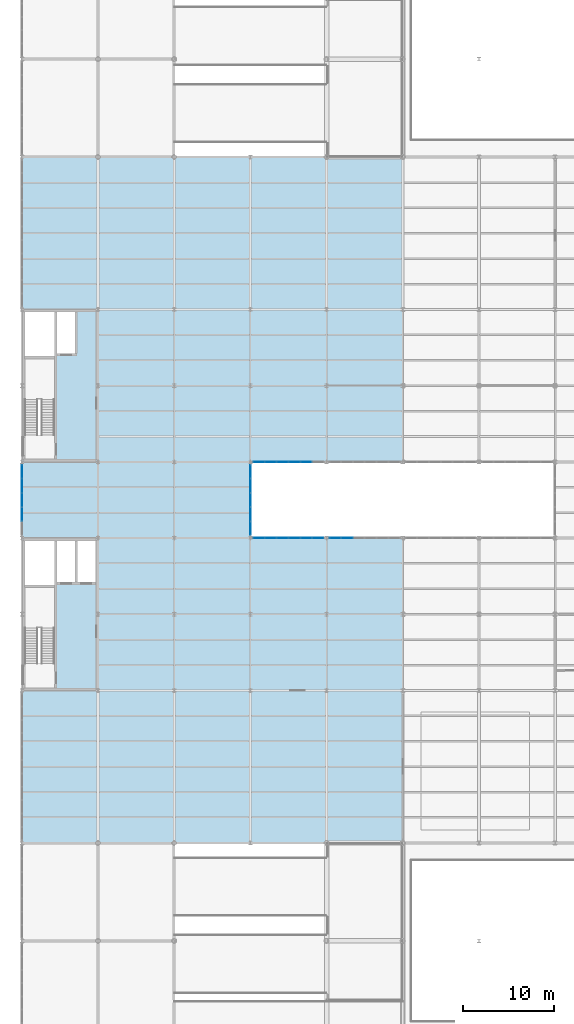
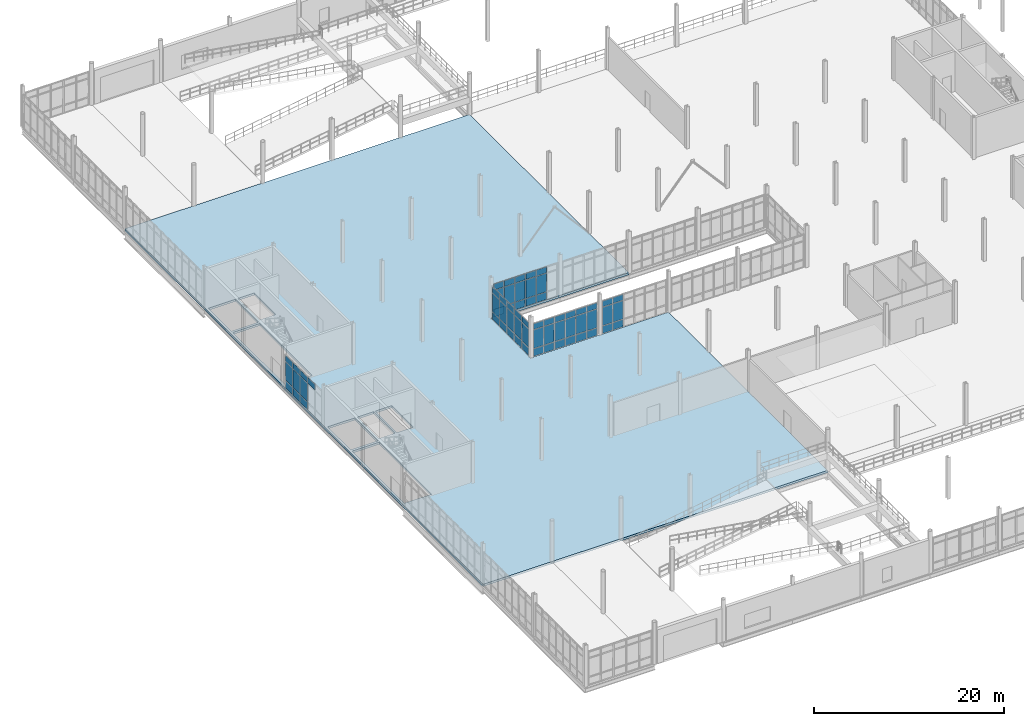
# One storey, part 78 of 111: 64 plates, 1 slab, 5 elements without a shape of their own.
"""IFC4 building model written with IfcOpenShell, lengths in metres."""

from ifc_helpers import new_model, si_unit, direction, frame, origin, origin_2d, place, context, subcontext, project, spatial, polyline, rectangle, outline, extrude, material, layer, layer_set, type_object, element, aggregate, save


model = new_model("IFC4")

# Units and contexts
model_context = context("Model", 3, precision=1e-05, world=origin(), true_north=direction((0.0, 1.0)))
body_context = subcontext(model_context, "Body", "Model", "MODEL_VIEW")
ifc_project = project(units=[si_unit("LENGTHUNIT", "METRE"), si_unit("AREAUNIT", "SQUARE_METRE"), si_unit("VOLUMEUNIT", "CUBIC_METRE"), si_unit("PLANEANGLEUNIT", "RADIAN"), si_unit("MASSUNIT", "GRAM", prefix="KILO"), si_unit("THERMODYNAMICTEMPERATUREUNIT", "KELVIN"), si_unit("POWERUNIT", "WATT")], contexts=[model_context])

# Site, building, storey
site_placement = place(None, origin())
site = spatial("IfcSite", under=ifc_project, at=site_placement, CompositionType="ELEMENT")
building_placement = place(site_placement, origin())
building = spatial("IfcBuilding", under=site, at=building_placement, Name="Tembeka Court Mobility Hub", CompositionType="ELEMENT")
storey_placement = place(building_placement, origin())
storey = spatial("IfcBuildingStorey", under=building, at=storey_placement, Name="L00", CompositionType="ELEMENT", Elevation=0.0)

# Curtain wall, plates
ifc_material_1 = material(Name="Anodised aluminium 6063-T6", Category="aluminium")
ifc_layer_1 = layer(ifc_material_1, 0.159912109375)
ifc_layer_set_1 = layer_set([ifc_layer_1], Name="Anodised aluminium 6063-T6")
curtain_wall_type_1 = type_object("IfcCurtainWallType", Name="CW-SYS01", PredefinedType="USERDEFINED", material=ifc_layer_set_1)
curtain_wall_1_placement = place(storey_placement, origin())
curtain_wall_1 = element("IfcCurtainWall", 1, at=curtain_wall_1_placement, inside=storey, type_object=curtain_wall_type_1, Name="Unitised curtain wall CW01 (CW-L00-035)", ObjectType="UNITISED GLAZING", PredefinedType="USERDEFINED")
ifc_material_2 = material(Name="Laminated solar-control low-E glass", Category="glass")
ifc_layer_2 = layer(ifc_material_2, 0.028076171875)
ifc_layer_set_2 = layer_set([ifc_layer_2], Name="Laminated solar-control low-E glass")
plate_type_1 = type_object("IfcPlateType", Name="PL-CW01", PredefinedType="CURTAIN_PANEL", material=ifc_layer_set_2)
plate_1_placement = place(storey_placement, frame((26.149658203125, 55.199951171875, 0.06494140625), z_axis=(0.0, 0.0, 1.0), x_axis=(1.0, 0.0, 0.0)))
plate_1 = element("IfcPlate", 2, at=plate_1_placement, type_object=plate_type_1, Name="CW01 panel 1.1", PredefinedType="CURTAIN_PANEL", context=body_context, shape_type="SweptSolid", body=[
    extrude(rectangle(XDim=1.209228515625, YDim=0.028076171875, at=origin_2d()), origin(), (0.0, 0.0, 1.0), 0.952392578125),
])
plate_2_placement = place(storey_placement, frame((26.149658203125, 55.199951171875, 1.08251953125), z_axis=(0.0, 0.0, 1.0), x_axis=(1.0, 0.0, 0.0)))
plate_2 = element("IfcPlate", 3, at=plate_2_placement, type_object=plate_type_1, Name="CW01 panel 1.2", PredefinedType="CURTAIN_PANEL", context=body_context, shape_type="SweptSolid", body=[
    extrude(rectangle(XDim=1.209228515625, YDim=0.028076171875, at=origin_2d()), origin(), (0.0, 0.0, 1.0), 2.3701171875),
])
plate_3_placement = place(storey_placement, frame((26.149658203125, 55.199951171875, 3.517578125), z_axis=(0.0, 0.0, 1.0), x_axis=(1.0, 0.0, 0.0)))
plate_3 = element("IfcPlate", 4, at=plate_3_placement, type_object=plate_type_1, Name="CW01 panel 1.3", PredefinedType="CURTAIN_PANEL", context=body_context, shape_type="SweptSolid", body=[
    extrude(rectangle(XDim=1.209228515625, YDim=0.028076171875, at=origin_2d()), origin(), (0.0, 0.0, 1.0), 0.75244140625),
])
plate_4_placement = place(storey_placement, frame((27.43994140625, 55.199951171875, 0.06494140625), z_axis=(0.0, 0.0, 1.0), x_axis=(1.0, 0.0, 0.0)))
plate_4 = element("IfcPlate", 5, at=plate_4_placement, type_object=plate_type_1, Name="CW01 panel 2.1", PredefinedType="CURTAIN_PANEL", context=body_context, shape_type="SweptSolid", body=[
    extrude(rectangle(XDim=1.24169921875, YDim=0.028076171875, at=origin_2d()), origin(), (0.0, 0.0, 1.0), 0.952392578125),
])
plate_5_placement = place(storey_placement, frame((27.43994140625, 55.199951171875, 1.08251953125), z_axis=(0.0, 0.0, 1.0), x_axis=(1.0, 0.0, 0.0)))
plate_5 = element("IfcPlate", 6, at=plate_5_placement, type_object=plate_type_1, Name="CW01 panel 2.2", PredefinedType="CURTAIN_PANEL", context=body_context, shape_type="SweptSolid", body=[
    extrude(rectangle(XDim=1.24169921875, YDim=0.028076171875, at=origin_2d()), origin(), (0.0, 0.0, 1.0), 2.3701171875),
])
plate_6_placement = place(storey_placement, frame((27.43994140625, 55.199951171875, 3.517578125), z_axis=(0.0, 0.0, 1.0), x_axis=(1.0, 0.0, 0.0)))
plate_6 = element("IfcPlate", 7, at=plate_6_placement, type_object=plate_type_1, Name="CW01 panel 2.3", PredefinedType="CURTAIN_PANEL", context=body_context, shape_type="SweptSolid", body=[
    extrude(rectangle(XDim=1.24169921875, YDim=0.028076171875, at=origin_2d()), origin(), (0.0, 0.0, 1.0), 0.75244140625),
])
plate_7_placement = place(storey_placement, frame((28.74658203125, 55.199951171875, 0.06494140625), z_axis=(0.0, 0.0, 1.0), x_axis=(1.0, 0.0, 0.0)))
plate_7 = element("IfcPlate", 8, at=plate_7_placement, type_object=plate_type_1, Name="CW01 panel 3.1", PredefinedType="CURTAIN_PANEL", context=body_context, shape_type="SweptSolid", body=[
    extrude(rectangle(XDim=1.24169921875, YDim=0.028076171875, at=origin_2d()), origin(), (0.0, 0.0, 1.0), 0.952392578125),
])
plate_8_placement = place(storey_placement, frame((28.74658203125, 55.199951171875, 1.08251953125), z_axis=(0.0, 0.0, 1.0), x_axis=(1.0, 0.0, 0.0)))
plate_8 = element("IfcPlate", 9, at=plate_8_placement, type_object=plate_type_1, Name="CW01 panel 3.2", PredefinedType="CURTAIN_PANEL", context=body_context, shape_type="SweptSolid", body=[
    extrude(rectangle(XDim=1.24169921875, YDim=0.028076171875, at=origin_2d()), origin(), (0.0, 0.0, 1.0), 2.3701171875),
])
plate_9_placement = place(storey_placement, frame((28.74658203125, 55.199951171875, 3.517578125), z_axis=(0.0, 0.0, 1.0), x_axis=(1.0, 0.0, 0.0)))
plate_9 = element("IfcPlate", 10, at=plate_9_placement, type_object=plate_type_1, Name="CW01 panel 3.3", PredefinedType="CURTAIN_PANEL", context=body_context, shape_type="SweptSolid", body=[
    extrude(rectangle(XDim=1.24169921875, YDim=0.028076171875, at=origin_2d()), origin(), (0.0, 0.0, 1.0), 0.75244140625),
])
plate_10_placement = place(storey_placement, frame((30.05322265625, 55.199951171875, 0.06494140625), z_axis=(0.0, 0.0, 1.0), x_axis=(1.0, 0.0, 0.0)))
plate_10 = element("IfcPlate", 11, at=plate_10_placement, type_object=plate_type_1, Name="CW01 panel 4.1", PredefinedType="CURTAIN_PANEL", context=body_context, shape_type="SweptSolid", body=[
    extrude(rectangle(XDim=1.24169921875, YDim=0.028076171875, at=origin_2d()), origin(), (0.0, 0.0, 1.0), 0.952392578125),
])
plate_11_placement = place(storey_placement, frame((30.05322265625, 55.199951171875, 1.08251953125), z_axis=(0.0, 0.0, 1.0), x_axis=(1.0, 0.0, 0.0)))
plate_11 = element("IfcPlate", 12, at=plate_11_placement, type_object=plate_type_1, Name="CW01 panel 4.2", PredefinedType="CURTAIN_PANEL", context=body_context, shape_type="SweptSolid", body=[
    extrude(rectangle(XDim=1.24169921875, YDim=0.028076171875, at=origin_2d()), origin(), (0.0, 0.0, 1.0), 2.3701171875),
])
plate_12_placement = place(storey_placement, frame((30.05322265625, 55.199951171875, 3.517578125), z_axis=(0.0, 0.0, 1.0), x_axis=(1.0, 0.0, 0.0)))
plate_12 = element("IfcPlate", 13, at=plate_12_placement, type_object=plate_type_1, Name="CW01 panel 4.3", PredefinedType="CURTAIN_PANEL", context=body_context, shape_type="SweptSolid", body=[
    extrude(rectangle(XDim=1.24169921875, YDim=0.028076171875, at=origin_2d()), origin(), (0.0, 0.0, 1.0), 0.75244140625),
])
plate_13_placement = place(storey_placement, frame((31.360107421875, 55.199951171875, 0.06494140625), z_axis=(0.0, 0.0, 1.0), x_axis=(1.0, 0.0, 0.0)))
plate_13 = element("IfcPlate", 14, at=plate_13_placement, type_object=plate_type_1, Name="CW01 panel 5.1", PredefinedType="CURTAIN_PANEL", context=body_context, shape_type="SweptSolid", body=[
    extrude(rectangle(XDim=1.24169921875, YDim=0.028076171875, at=origin_2d()), origin(), (0.0, 0.0, 1.0), 0.952392578125),
])
plate_14_placement = place(storey_placement, frame((31.360107421875, 55.199951171875, 1.08251953125), z_axis=(0.0, 0.0, 1.0), x_axis=(1.0, 0.0, 0.0)))
plate_14 = element("IfcPlate", 15, at=plate_14_placement, type_object=plate_type_1, Name="CW01 panel 5.2", PredefinedType="CURTAIN_PANEL", context=body_context, shape_type="SweptSolid", body=[
    extrude(rectangle(XDim=1.24169921875, YDim=0.028076171875, at=origin_2d()), origin(), (0.0, 0.0, 1.0), 2.3701171875),
])
plate_15_placement = place(storey_placement, frame((31.360107421875, 55.199951171875, 3.517578125), z_axis=(0.0, 0.0, 1.0), x_axis=(1.0, 0.0, 0.0)))
plate_15 = element("IfcPlate", 16, at=plate_15_placement, type_object=plate_type_1, Name="CW01 panel 5.3", PredefinedType="CURTAIN_PANEL", context=body_context, shape_type="SweptSolid", body=[
    extrude(rectangle(XDim=1.24169921875, YDim=0.028076171875, at=origin_2d()), origin(), (0.0, 0.0, 1.0), 0.75244140625),
])
plate_16_placement = place(storey_placement, frame((32.650390625, 55.199951171875, 0.06494140625), z_axis=(0.0, 0.0, 1.0), x_axis=(1.0, 0.0, 0.0)))
plate_16 = element("IfcPlate", 17, at=plate_16_placement, type_object=plate_type_1, Name="CW01 panel 6.1", PredefinedType="CURTAIN_PANEL", context=body_context, shape_type="SweptSolid", body=[
    extrude(rectangle(XDim=1.209228515625, YDim=0.028076171875, at=origin_2d()), origin(), (0.0, 0.0, 1.0), 0.952392578125),
])
plate_17_placement = place(storey_placement, frame((32.650390625, 55.199951171875, 1.08251953125), z_axis=(0.0, 0.0, 1.0), x_axis=(1.0, 0.0, 0.0)))
plate_17 = element("IfcPlate", 18, at=plate_17_placement, type_object=plate_type_1, Name="CW01 panel 6.2", PredefinedType="CURTAIN_PANEL", context=body_context, shape_type="SweptSolid", body=[
    extrude(rectangle(XDim=1.209228515625, YDim=0.028076171875, at=origin_2d()), origin(), (0.0, 0.0, 1.0), 2.3701171875),
])
plate_18_placement = place(storey_placement, frame((32.650390625, 55.199951171875, 3.517578125), z_axis=(0.0, 0.0, 1.0), x_axis=(1.0, 0.0, 0.0)))
plate_18 = element("IfcPlate", 19, at=plate_18_placement, type_object=plate_type_1, Name="CW01 panel 6.3", PredefinedType="CURTAIN_PANEL", context=body_context, shape_type="SweptSolid", body=[
    extrude(rectangle(XDim=1.209228515625, YDim=0.028076171875, at=origin_2d()), origin(), (0.0, 0.0, 1.0), 0.75244140625),
])
aggregate(curtain_wall_1, [plate_1, plate_2, plate_3, plate_4, plate_5, plate_6, plate_7, plate_8, plate_9, plate_10, plate_11, plate_12, plate_13, plate_14, plate_15, plate_16, plate_17, plate_18])

ifc_layer_3 = layer(ifc_material_1, 0.159912109375)
ifc_layer_set_3 = layer_set([ifc_layer_3], Name="Anodised aluminium 6063-T6")
curtain_wall_type_2 = type_object("IfcCurtainWallType", Name="CW-SYS20", PredefinedType="USERDEFINED", material=ifc_layer_set_3)
curtain_wall_2_placement = place(storey_placement, origin())
curtain_wall_2 = element("IfcCurtainWall", 20, at=curtain_wall_2_placement, inside=storey, type_object=curtain_wall_type_2, Name="Unitised curtain wall CW20 (CW-L00-037)", ObjectType="UNITISED GLAZING", PredefinedType="USERDEFINED")
plate_19_placement = place(storey_placement, frame((34.549560546875, 55.199951171875, 0.06494140625), z_axis=(0.0, 0.0, 1.0), x_axis=(1.0, 0.0, 0.0)))
plate_19 = element("IfcPlate", 21, at=plate_19_placement, type_object=plate_type_1, Name="CW20 panel 1.1", PredefinedType="CURTAIN_PANEL", context=body_context, shape_type="SweptSolid", body=[
    extrude(rectangle(XDim=1.209228515625, YDim=0.028076171875, at=origin_2d()), origin(), (0.0, 0.0, 1.0), 0.952392578125),
])
plate_20_placement = place(storey_placement, frame((34.549560546875, 55.199951171875, 1.08251953125), z_axis=(0.0, 0.0, 1.0), x_axis=(1.0, 0.0, 0.0)))
plate_20 = element("IfcPlate", 22, at=plate_20_placement, type_object=plate_type_1, Name="CW20 panel 1.2", PredefinedType="CURTAIN_PANEL", context=body_context, shape_type="SweptSolid", body=[
    extrude(rectangle(XDim=1.209228515625, YDim=0.028076171875, at=origin_2d()), origin(), (0.0, 0.0, 1.0), 2.35009765625),
])
plate_21_placement = place(storey_placement, frame((34.549560546875, 55.199951171875, 3.49755859375), z_axis=(0.0, 0.0, 1.0), x_axis=(1.0, 0.0, 0.0)))
plate_21 = element("IfcPlate", 23, at=plate_21_placement, type_object=plate_type_1, Name="CW20 panel 1.3", PredefinedType="CURTAIN_PANEL", context=body_context, shape_type="SweptSolid", body=[
    extrude(rectangle(XDim=1.209228515625, YDim=0.028076171875, at=origin_2d()), origin(), (0.0, 0.0, 1.0), 0.75244140625),
])
plate_22_placement = place(storey_placement, frame((35.840087890625, 55.199951171875, 0.06494140625), z_axis=(0.0, 0.0, 1.0), x_axis=(1.0, 0.0, 0.0)))
plate_22 = element("IfcPlate", 24, at=plate_22_placement, type_object=plate_type_1, Name="CW20 panel 2.1", PredefinedType="CURTAIN_PANEL", context=body_context, shape_type="SweptSolid", body=[
    extrude(rectangle(XDim=1.24169921875, YDim=0.028076171875, at=origin_2d()), origin(), (0.0, 0.0, 1.0), 0.952392578125),
])
plate_23_placement = place(storey_placement, frame((35.840087890625, 55.199951171875, 1.08251953125), z_axis=(0.0, 0.0, 1.0), x_axis=(1.0, 0.0, 0.0)))
plate_23 = element("IfcPlate", 25, at=plate_23_placement, type_object=plate_type_1, Name="CW20 panel 2.2", PredefinedType="CURTAIN_PANEL", context=body_context, shape_type="SweptSolid", body=[
    extrude(rectangle(XDim=1.24169921875, YDim=0.028076171875, at=origin_2d()), origin(), (0.0, 0.0, 1.0), 2.35009765625),
])
plate_24_placement = place(storey_placement, frame((35.840087890625, 55.199951171875, 3.49755859375), z_axis=(0.0, 0.0, 1.0), x_axis=(1.0, 0.0, 0.0)))
plate_24 = element("IfcPlate", 26, at=plate_24_placement, type_object=plate_type_1, Name="CW20 panel 2.3", PredefinedType="CURTAIN_PANEL", context=body_context, shape_type="SweptSolid", body=[
    extrude(rectangle(XDim=1.24169921875, YDim=0.028076171875, at=origin_2d()), origin(), (0.0, 0.0, 1.0), 0.75244140625),
])
aggregate(curtain_wall_2, [plate_19, plate_20, plate_21, plate_22, plate_23, plate_24])

curtain_wall_3_placement = place(storey_placement, origin())
curtain_wall_3 = element("IfcCurtainWall", 27, at=curtain_wall_3_placement, inside=storey, type_object=curtain_wall_type_1, Name="Unitised curtain wall CW01 (CW-L00-043)", ObjectType="UNITISED GLAZING", PredefinedType="USERDEFINED")
plate_25_placement = place(storey_placement, frame((25.199951171875, 56.2802734375, 0.06494140625), z_axis=(0.0, 0.0, 1.0), x_axis=(0.0, 1.0, 0.0)))
plate_25 = element("IfcPlate", 28, at=plate_25_placement, type_object=plate_type_1, Name="CW01 panel 1.1", PredefinedType="CURTAIN_PANEL", context=body_context, shape_type="SweptSolid", body=[
    extrude(rectangle(XDim=1.470458984375, YDim=0.028076171875, at=origin_2d()), origin(), (0.0, 0.0, 1.0), 0.952392578125),
])
plate_26_placement = place(storey_placement, frame((25.199951171875, 56.2802734375, 1.08251953125), z_axis=(0.0, 0.0, 1.0), x_axis=(0.0, 1.0, 0.0)))
plate_26 = element("IfcPlate", 29, at=plate_26_placement, type_object=plate_type_1, Name="CW01 panel 1.2", PredefinedType="CURTAIN_PANEL", context=body_context, shape_type="SweptSolid", body=[
    extrude(rectangle(XDim=1.470458984375, YDim=0.028076171875, at=origin_2d()), origin(), (0.0, 0.0, 1.0), 2.3701171875),
])
plate_27_placement = place(storey_placement, frame((25.199951171875, 56.2802734375, 3.517578125), z_axis=(0.0, 0.0, 1.0), x_axis=(0.0, 1.0, 0.0)))
plate_27 = element("IfcPlate", 30, at=plate_27_placement, type_object=plate_type_1, Name="CW01 panel 1.3", PredefinedType="CURTAIN_PANEL", context=body_context, shape_type="SweptSolid", body=[
    extrude(rectangle(XDim=1.470458984375, YDim=0.028076171875, at=origin_2d()), origin(), (0.0, 0.0, 1.0), 0.75244140625),
])
plate_28_placement = place(storey_placement, frame((25.199951171875, 57.83203125, 0.06494140625), z_axis=(0.0, 0.0, 1.0), x_axis=(0.0, 1.0, 0.0)))
plate_28 = element("IfcPlate", 31, at=plate_28_placement, type_object=plate_type_1, Name="CW01 panel 2.1", PredefinedType="CURTAIN_PANEL", context=body_context, shape_type="SweptSolid", body=[
    extrude(rectangle(XDim=1.5029296875, YDim=0.028076171875, at=origin_2d()), origin(), (0.0, 0.0, 1.0), 0.952392578125),
])
plate_29_placement = place(storey_placement, frame((25.199951171875, 57.83203125, 1.08251953125), z_axis=(0.0, 0.0, 1.0), x_axis=(0.0, 1.0, 0.0)))
plate_29 = element("IfcPlate", 32, at=plate_29_placement, type_object=plate_type_1, Name="CW01 panel 2.2", PredefinedType="CURTAIN_PANEL", context=body_context, shape_type="SweptSolid", body=[
    extrude(rectangle(XDim=1.5029296875, YDim=0.028076171875, at=origin_2d()), origin(), (0.0, 0.0, 1.0), 2.3701171875),
])
plate_30_placement = place(storey_placement, frame((25.199951171875, 57.83203125, 3.517578125), z_axis=(0.0, 0.0, 1.0), x_axis=(0.0, 1.0, 0.0)))
plate_30 = element("IfcPlate", 33, at=plate_30_placement, type_object=plate_type_1, Name="CW01 panel 2.3", PredefinedType="CURTAIN_PANEL", context=body_context, shape_type="SweptSolid", body=[
    extrude(rectangle(XDim=1.5029296875, YDim=0.028076171875, at=origin_2d()), origin(), (0.0, 0.0, 1.0), 0.75244140625),
])
plate_31_placement = place(storey_placement, frame((25.199951171875, 59.39990234375, 0.06494140625), z_axis=(0.0, 0.0, 1.0), x_axis=(0.0, 1.0, 0.0)))
plate_31 = element("IfcPlate", 34, at=plate_31_placement, type_object=plate_type_1, Name="CW01 panel 3.1", PredefinedType="CURTAIN_PANEL", context=body_context, shape_type="SweptSolid", body=[
    extrude(rectangle(XDim=1.5029296875, YDim=0.028076171875, at=origin_2d()), origin(), (0.0, 0.0, 1.0), 0.952392578125),
])
plate_32_placement = place(storey_placement, frame((25.199951171875, 59.39990234375, 1.08251953125), z_axis=(0.0, 0.0, 1.0), x_axis=(0.0, 1.0, 0.0)))
plate_32 = element("IfcPlate", 35, at=plate_32_placement, type_object=plate_type_1, Name="CW01 panel 3.2", PredefinedType="CURTAIN_PANEL", context=body_context, shape_type="SweptSolid", body=[
    extrude(rectangle(XDim=1.5029296875, YDim=0.028076171875, at=origin_2d()), origin(), (0.0, 0.0, 1.0), 2.3701171875),
])
plate_33_placement = place(storey_placement, frame((25.199951171875, 59.39990234375, 3.517578125), z_axis=(0.0, 0.0, 1.0), x_axis=(0.0, 1.0, 0.0)))
plate_33 = element("IfcPlate", 36, at=plate_33_placement, type_object=plate_type_1, Name="CW01 panel 3.3", PredefinedType="CURTAIN_PANEL", context=body_context, shape_type="SweptSolid", body=[
    extrude(rectangle(XDim=1.5029296875, YDim=0.028076171875, at=origin_2d()), origin(), (0.0, 0.0, 1.0), 0.75244140625),
])
plate_34_placement = place(storey_placement, frame((25.199951171875, 60.968017578125, 0.06494140625), z_axis=(0.0, 0.0, 1.0), x_axis=(0.0, 1.0, 0.0)))
plate_34 = element("IfcPlate", 37, at=plate_34_placement, type_object=plate_type_1, Name="CW01 panel 4.1", PredefinedType="CURTAIN_PANEL", context=body_context, shape_type="SweptSolid", body=[
    extrude(rectangle(XDim=1.5029296875, YDim=0.028076171875, at=origin_2d()), origin(), (0.0, 0.0, 1.0), 0.952392578125),
])
plate_35_placement = place(storey_placement, frame((25.199951171875, 60.968017578125, 1.08251953125), z_axis=(0.0, 0.0, 1.0), x_axis=(0.0, 1.0, 0.0)))
plate_35 = element("IfcPlate", 38, at=plate_35_placement, type_object=plate_type_1, Name="CW01 panel 4.2", PredefinedType="CURTAIN_PANEL", context=body_context, shape_type="SweptSolid", body=[
    extrude(rectangle(XDim=1.5029296875, YDim=0.028076171875, at=origin_2d()), origin(), (0.0, 0.0, 1.0), 2.3701171875),
])
plate_36_placement = place(storey_placement, frame((25.199951171875, 60.968017578125, 3.517578125), z_axis=(0.0, 0.0, 1.0), x_axis=(0.0, 1.0, 0.0)))
plate_36 = element("IfcPlate", 39, at=plate_36_placement, type_object=plate_type_1, Name="CW01 panel 4.3", PredefinedType="CURTAIN_PANEL", context=body_context, shape_type="SweptSolid", body=[
    extrude(rectangle(XDim=1.5029296875, YDim=0.028076171875, at=origin_2d()), origin(), (0.0, 0.0, 1.0), 0.75244140625),
])
plate_37_placement = place(storey_placement, frame((25.199951171875, 62.519775390625, 0.06494140625), z_axis=(0.0, 0.0, 1.0), x_axis=(0.0, 1.0, 0.0)))
plate_37 = element("IfcPlate", 40, at=plate_37_placement, type_object=plate_type_1, Name="CW01 panel 5.1", PredefinedType="CURTAIN_PANEL", context=body_context, shape_type="SweptSolid", body=[
    extrude(rectangle(XDim=1.470458984375, YDim=0.028076171875, at=origin_2d()), origin(), (0.0, 0.0, 1.0), 0.952392578125),
])
plate_38_placement = place(storey_placement, frame((25.199951171875, 62.519775390625, 1.08251953125), z_axis=(0.0, 0.0, 1.0), x_axis=(0.0, 1.0, 0.0)))
plate_38 = element("IfcPlate", 41, at=plate_38_placement, type_object=plate_type_1, Name="CW01 panel 5.2", PredefinedType="CURTAIN_PANEL", context=body_context, shape_type="SweptSolid", body=[
    extrude(rectangle(XDim=1.470458984375, YDim=0.028076171875, at=origin_2d()), origin(), (0.0, 0.0, 1.0), 2.3701171875),
])
plate_39_placement = place(storey_placement, frame((25.199951171875, 62.519775390625, 3.517578125), z_axis=(0.0, 0.0, 1.0), x_axis=(0.0, 1.0, 0.0)))
plate_39 = element("IfcPlate", 42, at=plate_39_placement, type_object=plate_type_1, Name="CW01 panel 5.3", PredefinedType="CURTAIN_PANEL", context=body_context, shape_type="SweptSolid", body=[
    extrude(rectangle(XDim=1.470458984375, YDim=0.028076171875, at=origin_2d()), origin(), (0.0, 0.0, 1.0), 0.75244140625),
])
aggregate(curtain_wall_3, [plate_25, plate_26, plate_27, plate_28, plate_29, plate_30, plate_31, plate_32, plate_33, plate_34, plate_35, plate_36, plate_37, plate_38, plate_39])

curtain_wall_4_placement = place(storey_placement, origin())
curtain_wall_4 = element("IfcCurtainWall", 43, at=curtain_wall_4_placement, inside=storey, type_object=curtain_wall_type_1, Name="Unitised curtain wall CW01 (CW-L00-028)", ObjectType="UNITISED GLAZING", PredefinedType="USERDEFINED")
ifc_material_3 = material(Name="Insulated aluminium spandrel panel", Category="aluminium")
ifc_layer_4 = layer(ifc_material_3, 0.052001953125)
ifc_layer_set_4 = layer_set([ifc_layer_4], Name="Insulated aluminium spandrel panel")
plate_type_2 = type_object("IfcPlateType", Name="PL-CW02", PredefinedType="CURTAIN_PANEL", material=ifc_layer_set_4)
plate_40_placement = place(storey_placement, frame((0.0, 57.83203125, 3.517578125), z_axis=(0.0, 0.0, 1.0), x_axis=(0.0, 1.0, 0.0)))
plate_40 = element("IfcPlate", 44, at=plate_40_placement, type_object=plate_type_2, Name="CW01 panel 2.3", PredefinedType="CURTAIN_PANEL", context=body_context, shape_type="SweptSolid", body=[
    extrude(rectangle(XDim=1.5029296875, YDim=0.052001953125, at=origin_2d()), origin(), (0.0, 0.0, 1.0), 0.75244140625),
])
plate_41_placement = place(storey_placement, frame((0.0, 59.39990234375, 0.06494140625), z_axis=(0.0, 0.0, 1.0), x_axis=(0.0, 1.0, 0.0)))
plate_41 = element("IfcPlate", 45, at=plate_41_placement, type_object=plate_type_2, Name="CW01 panel 3.1", PredefinedType="CURTAIN_PANEL", context=body_context, shape_type="SweptSolid", body=[
    extrude(rectangle(XDim=1.5029296875, YDim=0.052001953125, at=origin_2d()), origin(), (0.0, 0.0, 1.0), 0.952392578125),
])
plate_42_placement = place(storey_placement, frame((0.0, 59.39990234375, 1.08251953125), z_axis=(0.0, 0.0, 1.0), x_axis=(0.0, 1.0, 0.0)))
plate_42 = element("IfcPlate", 46, at=plate_42_placement, type_object=plate_type_2, Name="CW01 panel 3.2", PredefinedType="CURTAIN_PANEL", context=body_context, shape_type="SweptSolid", body=[
    extrude(rectangle(XDim=1.5029296875, YDim=0.052001953125, at=origin_2d()), origin(), (0.0, 0.0, 1.0), 2.3701171875),
])
plate_43_placement = place(storey_placement, frame((0.0, 59.39990234375, 3.517578125), z_axis=(0.0, 0.0, 1.0), x_axis=(0.0, 1.0, 0.0)))
plate_43 = element("IfcPlate", 47, at=plate_43_placement, type_object=plate_type_2, Name="CW01 panel 3.3", PredefinedType="CURTAIN_PANEL", context=body_context, shape_type="SweptSolid", body=[
    extrude(rectangle(XDim=1.5029296875, YDim=0.052001953125, at=origin_2d()), origin(), (0.0, 0.0, 1.0), 0.75244140625),
])
plate_44_placement = place(storey_placement, frame((0.0, 60.968017578125, 0.06494140625), z_axis=(0.0, 0.0, 1.0), x_axis=(0.0, 1.0, 0.0)))
plate_44 = element("IfcPlate", 48, at=plate_44_placement, type_object=plate_type_2, Name="CW01 panel 4.1", PredefinedType="CURTAIN_PANEL", context=body_context, shape_type="SweptSolid", body=[
    extrude(rectangle(XDim=1.5029296875, YDim=0.052001953125, at=origin_2d()), origin(), (0.0, 0.0, 1.0), 0.952392578125),
])
plate_45_placement = place(storey_placement, frame((0.0, 60.968017578125, 1.08251953125), z_axis=(0.0, 0.0, 1.0), x_axis=(0.0, 1.0, 0.0)))
plate_45 = element("IfcPlate", 49, at=plate_45_placement, type_object=plate_type_2, Name="CW01 panel 4.2", PredefinedType="CURTAIN_PANEL", context=body_context, shape_type="SweptSolid", body=[
    extrude(rectangle(XDim=1.5029296875, YDim=0.052001953125, at=origin_2d()), origin(), (0.0, 0.0, 1.0), 2.3701171875),
])
plate_46_placement = place(storey_placement, frame((0.0, 60.968017578125, 3.517578125), z_axis=(0.0, 0.0, 1.0), x_axis=(0.0, 1.0, 0.0)))
plate_46 = element("IfcPlate", 50, at=plate_46_placement, type_object=plate_type_2, Name="CW01 panel 4.3", PredefinedType="CURTAIN_PANEL", context=body_context, shape_type="SweptSolid", body=[
    extrude(rectangle(XDim=1.5029296875, YDim=0.052001953125, at=origin_2d()), origin(), (0.0, 0.0, 1.0), 0.75244140625),
])
plate_47_placement = place(storey_placement, frame((0.0, 62.519775390625, 0.06494140625), z_axis=(0.0, 0.0, 1.0), x_axis=(0.0, 1.0, 0.0)))
plate_47 = element("IfcPlate", 51, at=plate_47_placement, type_object=plate_type_2, Name="CW01 panel 5.1", PredefinedType="CURTAIN_PANEL", context=body_context, shape_type="SweptSolid", body=[
    extrude(rectangle(XDim=1.470458984375, YDim=0.052001953125, at=origin_2d()), origin(), (0.0, 0.0, 1.0), 0.952392578125),
])
plate_48_placement = place(storey_placement, frame((0.0, 62.519775390625, 1.08251953125), z_axis=(0.0, 0.0, 1.0), x_axis=(0.0, 1.0, 0.0)))
plate_48 = element("IfcPlate", 52, at=plate_48_placement, type_object=plate_type_2, Name="CW01 panel 5.2", PredefinedType="CURTAIN_PANEL", context=body_context, shape_type="SweptSolid", body=[
    extrude(rectangle(XDim=1.470458984375, YDim=0.052001953125, at=origin_2d()), origin(), (0.0, 0.0, 1.0), 2.3701171875),
])
plate_49_placement = place(storey_placement, frame((0.0, 62.519775390625, 3.517578125), z_axis=(0.0, 0.0, 1.0), x_axis=(0.0, 1.0, 0.0)))
plate_49 = element("IfcPlate", 53, at=plate_49_placement, type_object=plate_type_2, Name="CW01 panel 5.3", PredefinedType="CURTAIN_PANEL", context=body_context, shape_type="SweptSolid", body=[
    extrude(rectangle(XDim=1.470458984375, YDim=0.052001953125, at=origin_2d()), origin(), (0.0, 0.0, 1.0), 0.75244140625),
])
aggregate(curtain_wall_4, [plate_40, plate_41, plate_42, plate_43, plate_44, plate_45, plate_46, plate_47, plate_48, plate_49])

curtain_wall_5_placement = place(storey_placement, origin())
curtain_wall_5 = element("IfcCurtainWall", 54, at=curtain_wall_5_placement, inside=storey, type_object=curtain_wall_type_1, Name="Unitised curtain wall CW01 (CW-L00-036)", ObjectType="UNITISED GLAZING", PredefinedType="USERDEFINED")
plate_50_placement = place(storey_placement, frame((26.149658203125, 63.60009765625, 0.06494140625), z_axis=(0.0, 0.0, 1.0), x_axis=(1.0, 0.0, 0.0)))
plate_50 = element("IfcPlate", 55, at=plate_50_placement, type_object=plate_type_2, Name="CW01 panel 1.1", PredefinedType="CURTAIN_PANEL", context=body_context, shape_type="SweptSolid", body=[
    extrude(rectangle(XDim=1.209228515625, YDim=0.052001953125, at=origin_2d()), origin(), (0.0, 0.0, 1.0), 0.952392578125),
])
plate_51_placement = place(storey_placement, frame((26.149658203125, 63.60009765625, 1.08251953125), z_axis=(0.0, 0.0, 1.0), x_axis=(1.0, 0.0, 0.0)))
plate_51 = element("IfcPlate", 56, at=plate_51_placement, type_object=plate_type_2, Name="CW01 panel 1.2", PredefinedType="CURTAIN_PANEL", context=body_context, shape_type="SweptSolid", body=[
    extrude(rectangle(XDim=1.209228515625, YDim=0.052001953125, at=origin_2d()), origin(), (0.0, 0.0, 1.0), 2.3701171875),
])
plate_52_placement = place(storey_placement, frame((26.149658203125, 63.60009765625, 3.517578125), z_axis=(0.0, 0.0, 1.0), x_axis=(1.0, 0.0, 0.0)))
plate_52 = element("IfcPlate", 57, at=plate_52_placement, type_object=plate_type_2, Name="CW01 panel 1.3", PredefinedType="CURTAIN_PANEL", context=body_context, shape_type="SweptSolid", body=[
    extrude(rectangle(XDim=1.209228515625, YDim=0.052001953125, at=origin_2d()), origin(), (0.0, 0.0, 1.0), 0.75244140625),
])
plate_53_placement = place(storey_placement, frame((27.43994140625, 63.60009765625, 0.06494140625), z_axis=(0.0, 0.0, 1.0), x_axis=(1.0, 0.0, 0.0)))
plate_53 = element("IfcPlate", 58, at=plate_53_placement, type_object=plate_type_2, Name="CW01 panel 2.1", PredefinedType="CURTAIN_PANEL", context=body_context, shape_type="SweptSolid", body=[
    extrude(rectangle(XDim=1.24169921875, YDim=0.052001953125, at=origin_2d()), origin(), (0.0, 0.0, 1.0), 0.952392578125),
])
plate_54_placement = place(storey_placement, frame((27.43994140625, 63.60009765625, 1.08251953125), z_axis=(0.0, 0.0, 1.0), x_axis=(1.0, 0.0, 0.0)))
plate_54 = element("IfcPlate", 59, at=plate_54_placement, type_object=plate_type_2, Name="CW01 panel 2.2", PredefinedType="CURTAIN_PANEL", context=body_context, shape_type="SweptSolid", body=[
    extrude(rectangle(XDim=1.24169921875, YDim=0.052001953125, at=origin_2d()), origin(), (0.0, 0.0, 1.0), 2.3701171875),
])
plate_55_placement = place(storey_placement, frame((27.43994140625, 63.60009765625, 3.517578125), z_axis=(0.0, 0.0, 1.0), x_axis=(1.0, 0.0, 0.0)))
plate_55 = element("IfcPlate", 60, at=plate_55_placement, type_object=plate_type_2, Name="CW01 panel 2.3", PredefinedType="CURTAIN_PANEL", context=body_context, shape_type="SweptSolid", body=[
    extrude(rectangle(XDim=1.24169921875, YDim=0.052001953125, at=origin_2d()), origin(), (0.0, 0.0, 1.0), 0.75244140625),
])
plate_56_placement = place(storey_placement, frame((28.74658203125, 63.60009765625, 0.06494140625), z_axis=(0.0, 0.0, 1.0), x_axis=(1.0, 0.0, 0.0)))
plate_56 = element("IfcPlate", 61, at=plate_56_placement, type_object=plate_type_2, Name="CW01 panel 3.1", PredefinedType="CURTAIN_PANEL", context=body_context, shape_type="SweptSolid", body=[
    extrude(rectangle(XDim=1.24169921875, YDim=0.052001953125, at=origin_2d()), origin(), (0.0, 0.0, 1.0), 0.952392578125),
])
plate_57_placement = place(storey_placement, frame((28.74658203125, 63.60009765625, 1.08251953125), z_axis=(0.0, 0.0, 1.0), x_axis=(1.0, 0.0, 0.0)))
plate_57 = element("IfcPlate", 62, at=plate_57_placement, type_object=plate_type_2, Name="CW01 panel 3.2", PredefinedType="CURTAIN_PANEL", context=body_context, shape_type="SweptSolid", body=[
    extrude(rectangle(XDim=1.24169921875, YDim=0.052001953125, at=origin_2d()), origin(), (0.0, 0.0, 1.0), 2.3701171875),
])
plate_58_placement = place(storey_placement, frame((28.74658203125, 63.60009765625, 3.517578125), z_axis=(0.0, 0.0, 1.0), x_axis=(1.0, 0.0, 0.0)))
plate_58 = element("IfcPlate", 63, at=plate_58_placement, type_object=plate_type_2, Name="CW01 panel 3.3", PredefinedType="CURTAIN_PANEL", context=body_context, shape_type="SweptSolid", body=[
    extrude(rectangle(XDim=1.24169921875, YDim=0.052001953125, at=origin_2d()), origin(), (0.0, 0.0, 1.0), 0.75244140625),
])
plate_59_placement = place(storey_placement, frame((30.05322265625, 63.60009765625, 0.06494140625), z_axis=(0.0, 0.0, 1.0), x_axis=(1.0, 0.0, 0.0)))
plate_59 = element("IfcPlate", 64, at=plate_59_placement, type_object=plate_type_2, Name="CW01 panel 4.1", PredefinedType="CURTAIN_PANEL", context=body_context, shape_type="SweptSolid", body=[
    extrude(rectangle(XDim=1.24169921875, YDim=0.052001953125, at=origin_2d()), origin(), (0.0, 0.0, 1.0), 0.952392578125),
])
plate_60_placement = place(storey_placement, frame((30.05322265625, 63.60009765625, 1.08251953125), z_axis=(0.0, 0.0, 1.0), x_axis=(1.0, 0.0, 0.0)))
plate_60 = element("IfcPlate", 65, at=plate_60_placement, type_object=plate_type_2, Name="CW01 panel 4.2", PredefinedType="CURTAIN_PANEL", context=body_context, shape_type="SweptSolid", body=[
    extrude(rectangle(XDim=1.24169921875, YDim=0.052001953125, at=origin_2d()), origin(), (0.0, 0.0, 1.0), 2.3701171875),
])
plate_61_placement = place(storey_placement, frame((30.05322265625, 63.60009765625, 3.517578125), z_axis=(0.0, 0.0, 1.0), x_axis=(1.0, 0.0, 0.0)))
plate_61 = element("IfcPlate", 66, at=plate_61_placement, type_object=plate_type_2, Name="CW01 panel 4.3", PredefinedType="CURTAIN_PANEL", context=body_context, shape_type="SweptSolid", body=[
    extrude(rectangle(XDim=1.24169921875, YDim=0.052001953125, at=origin_2d()), origin(), (0.0, 0.0, 1.0), 0.75244140625),
])
plate_62_placement = place(storey_placement, frame((31.360107421875, 63.60009765625, 0.06494140625), z_axis=(0.0, 0.0, 1.0), x_axis=(1.0, 0.0, 0.0)))
plate_62 = element("IfcPlate", 67, at=plate_62_placement, type_object=plate_type_2, Name="CW01 panel 5.1", PredefinedType="CURTAIN_PANEL", context=body_context, shape_type="SweptSolid", body=[
    extrude(rectangle(XDim=1.24169921875, YDim=0.052001953125, at=origin_2d()), origin(), (0.0, 0.0, 1.0), 0.952392578125),
])
plate_63_placement = place(storey_placement, frame((31.360107421875, 63.60009765625, 1.08251953125), z_axis=(0.0, 0.0, 1.0), x_axis=(1.0, 0.0, 0.0)))
plate_63 = element("IfcPlate", 68, at=plate_63_placement, type_object=plate_type_2, Name="CW01 panel 5.2", PredefinedType="CURTAIN_PANEL", context=body_context, shape_type="SweptSolid", body=[
    extrude(rectangle(XDim=1.24169921875, YDim=0.052001953125, at=origin_2d()), origin(), (0.0, 0.0, 1.0), 2.3701171875),
])
plate_64_placement = place(storey_placement, frame((31.360107421875, 63.60009765625, 3.517578125), z_axis=(0.0, 0.0, 1.0), x_axis=(1.0, 0.0, 0.0)))
plate_64 = element("IfcPlate", 69, at=plate_64_placement, type_object=plate_type_2, Name="CW01 panel 5.3", PredefinedType="CURTAIN_PANEL", context=body_context, shape_type="SweptSolid", body=[
    extrude(rectangle(XDim=1.24169921875, YDim=0.052001953125, at=origin_2d()), origin(), (0.0, 0.0, 1.0), 0.75244140625),
])
aggregate(curtain_wall_5, [plate_50, plate_51, plate_52, plate_53, plate_54, plate_55, plate_56, plate_57, plate_58, plate_59, plate_60, plate_61, plate_62, plate_63, plate_64])

# Slab
ifc_material_4 = material(Name="Concrete C40/50", Category="concrete")
ifc_layer_5 = layer(ifc_material_4, 0.280029296875)
ifc_layer_set_5 = layer_set([ifc_layer_5], Name="Concrete C40/50")
slab_type = type_object("IfcSlabType", Name="SL-FL01", PredefinedType="FLOOR", material=ifc_layer_set_5)
slab_placement = place(storey_placement, frame((0.0, 0.0, -0.280029296875)))
element("IfcSlab", 70, at=slab_placement, inside=storey, type_object=slab_type, Name="L00 West mobility hall structural slab", PredefinedType="FLOOR", context=body_context, shape_type="SweptSolid", body=[
    extrude(outline(polyline([(0.0, 21.60009765625), (42.0, 21.60009765625), (42.0, 55.199951171875), (25.199951171875, 55.199951171875), (25.199951171875, 63.60009765625), (42.0, 63.60009765625), (42.0, 97.199951171875), (0.0, 97.199951171875), (0.0, 21.60009765625)]), holes=[polyline([(0.300048828125, 49.75), (3.60009765625, 49.75), (3.60009765625, 38.699951171875), (0.300048828125, 38.699951171875), (0.300048828125, 49.75)]), polyline([(3.89990234375, 54.89990234375), (5.89990234375, 54.89990234375), (5.89990234375, 50.35009765625), (3.89990234375, 50.35009765625), (3.89990234375, 54.89990234375)]), polyline([(6.10009765625, 54.89990234375), (8.10009765625, 54.89990234375), (8.10009765625, 50.35009765625), (6.10009765625, 50.35009765625), (6.10009765625, 54.89990234375)]), polyline([(0.300048828125, 54.89990234375), (3.60009765625, 54.89990234375), (3.60009765625, 50.050048828125), (0.300048828125, 50.050048828125), (0.300048828125, 54.89990234375)]), polyline([(0.300048828125, 74.949951171875), (3.60009765625, 74.949951171875), (3.60009765625, 63.89990234375), (0.300048828125, 63.89990234375), (0.300048828125, 74.949951171875)]), polyline([(3.89990234375, 80.10009765625), (5.89990234375, 80.10009765625), (5.89990234375, 75.550048828125), (3.89990234375, 75.550048828125), (3.89990234375, 80.10009765625)]), polyline([(0.300048828125, 80.10009765625), (3.60009765625, 80.10009765625), (3.60009765625, 75.25), (0.300048828125, 75.25), (0.300048828125, 80.10009765625)])]), origin(), (0.0, 0.0, 1.0), 0.280029296875),
])

save(model, "model.ifc")
